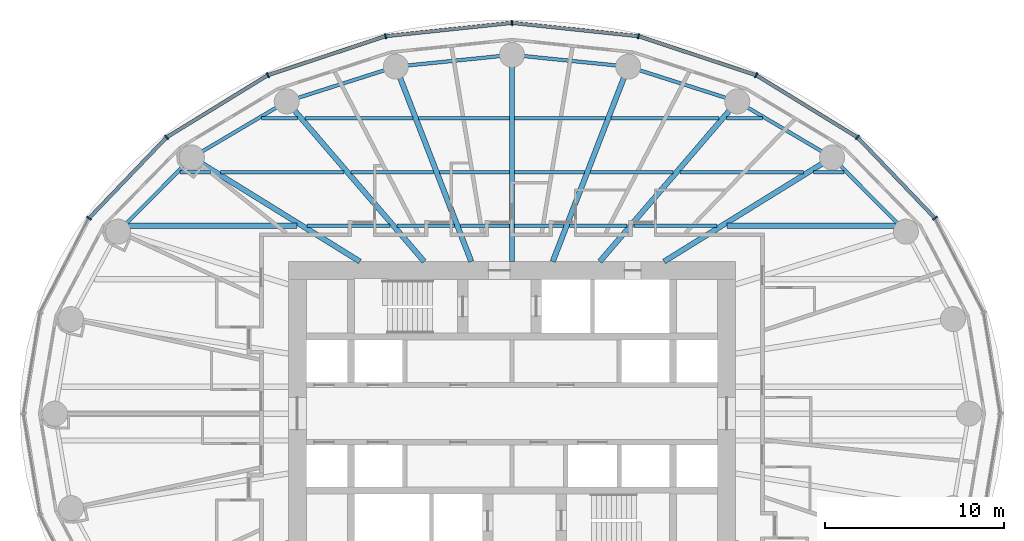
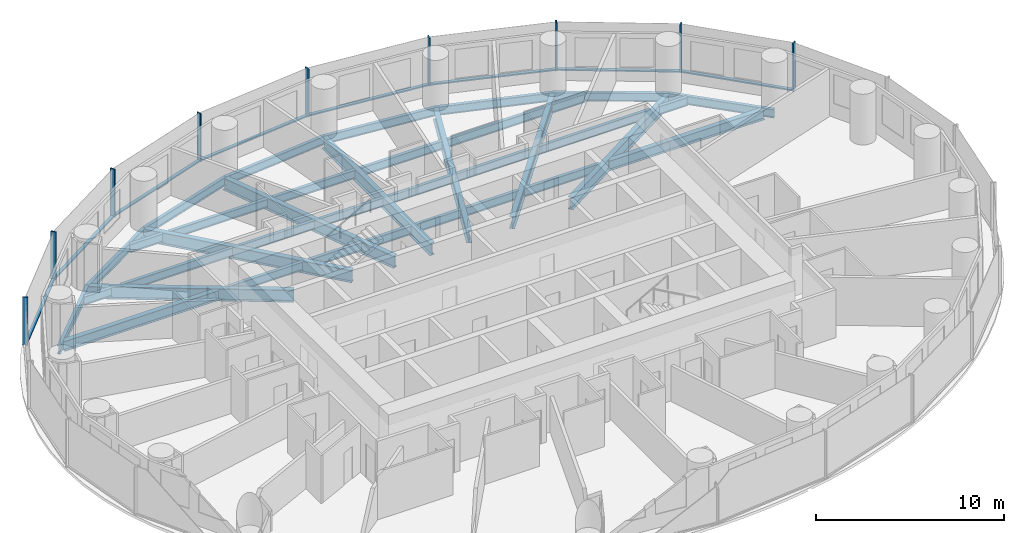
# One storey, part 4 of 14: 37 beams, 17 members, 2 elements without a shape of their own.
"""IFC4 building model written with IfcOpenShell, lengths in metres."""

from ifc_helpers import new_model, si_unit, direction, frame, origin, origin_2d, place, context, subcontext, project, spatial, rectangle, i_section, extrude, material, material_profile, profile_set, type_object, element, aggregate, save


model = new_model("IFC4")

# Units and contexts
model_context = context("Model", 3, precision=1e-05, world=origin(), true_north=direction((0.0, 1.0)))
body_context = subcontext(model_context, "Body", "Model", "MODEL_VIEW")
ifc_project = project(units=[si_unit("LENGTHUNIT", "METRE"), si_unit("AREAUNIT", "SQUARE_METRE"), si_unit("VOLUMEUNIT", "CUBIC_METRE"), si_unit("PLANEANGLEUNIT", "RADIAN"), si_unit("MASSUNIT", "GRAM", prefix="KILO")], contexts=[model_context])

# Site, building, storey
site_placement = place(None, origin())
site = spatial("IfcSite", under=ifc_project, at=site_placement, CompositionType="ELEMENT")
building_placement = place(site_placement, origin())
building = spatial("IfcBuilding", under=site, at=building_placement, Name="Hankou Lantern Tower", CompositionType="ELEMENT")
storey_placement = place(building_placement, frame((0.0, 0.0, 57.300048828125)))
storey = spatial("IfcBuildingStorey", under=building, at=storey_placement, Name="L13", CompositionType="ELEMENT", Elevation=57.300048828125)

# Beams
ifc_material_1 = material(Name="Steel Q355B", Category="steel")
ifc_material_profile_1 = material_profile(ifc_material_1, i_section(OverallWidth=0.199951171875, OverallDepth=0.550048828125, WebThickness=0.010009765625, FlangeThickness=0.01611328125, FilletRadius=0.012939453125, at=origin_2d()), Name="HN550x200x10x16")
ifc_profile_set_1 = profile_set([ifc_material_profile_1], Name="Steel Q355B")
beam_type_1 = type_object("IfcBeamType", Name="EB6 RING BEAM HN550x200x10x16", PredefinedType="SPANDREL", material=ifc_profile_set_1)
beam_1_placement = place(storey_placement, frame((22.01904296875, 10.170166015625, -0.455078125), z_axis=(-0.705727798394, 0.708483079949, 0.0), x_axis=(-0.708483079949, -0.705727798394, 0.0)))
element("IfcBeam", 1, at=beam_1_placement, inside=storey, type_object=beam_type_1, Name="Ring beam R03-R04 L13", PredefinedType="SPANDREL", context=body_context, shape_type="SweptSolid", body=[
    extrude(i_section(OverallWidth=0.199951171875, OverallDepth=0.550048828125, WebThickness=0.010009765625, FlangeThickness=0.01611328125, FilletRadius=0.012939453125, at=origin_2d()), origin(), (0.0, 0.0, 1.0), 5.84814453125),
])
beam_2_placement = place(storey_placement, frame((17.891845703125, 14.3134765625, -0.455078125), z_axis=(-0.860881533543, 0.508805449268, 0.0), x_axis=(-0.508805449268, -0.860881533543, 0.0)))
element("IfcBeam", 2, at=beam_2_placement, inside=storey, type_object=beam_type_1, Name="Ring beam R04-R05 L13", PredefinedType="SPANDREL", context=body_context, shape_type="SweptSolid", body=[
    extrude(i_section(OverallWidth=0.199951171875, OverallDepth=0.550048828125, WebThickness=0.010009765625, FlangeThickness=0.01611328125, FilletRadius=0.012939453125, at=origin_2d()), origin(), (0.0, 0.0, 1.0), 6.15771484375),
])
beam_3_placement = place(storey_placement, frame((12.5908203125, 17.446533203125, -0.455078125), z_axis=(-0.952690479428, 0.303942182671, 0.0), x_axis=(-0.303942182671, -0.952690479428, 0.0)))
element("IfcBeam", 3, at=beam_3_placement, inside=storey, type_object=beam_type_1, Name="Ring beam R05-R06 L13", PredefinedType="SPANDREL", context=body_context, shape_type="SweptSolid", body=[
    extrude(i_section(OverallWidth=0.199951171875, OverallDepth=0.550048828125, WebThickness=0.010009765625, FlangeThickness=0.01611328125, FilletRadius=0.012939453125, at=origin_2d()), origin(), (0.0, 0.0, 1.0), 6.398681640625),
])
for number, where, z_axis, x_axis, name in (
    (4, (6.494873046875, 19.391357421875, -0.455078125), (-0.994896616842, 0.100899562915, 0.0), (-0.100899562915, -0.994896616842, 0.0), "Ring beam R06-R07 L13"),
    (5, (0.0, 20.050048828125, -0.455078125), (-0.994896616842, -0.100899562915, 0.0), (0.100899562915, -0.994896616842, 0.0), "Ring beam R07-R08 L13"),
):
    element("IfcBeam", number, at=place(storey_placement, frame(where, z_axis=z_axis, x_axis=x_axis)), inside=storey, type_object=beam_type_1, Name=name, PredefinedType="SPANDREL", context=body_context, shape_type="SweptSolid", body=[
        extrude(i_section(OverallWidth=0.199951171875, OverallDepth=0.550048828125, WebThickness=0.010009765625, FlangeThickness=0.01611328125, FilletRadius=0.012939453125, at=origin_2d()), origin(), (0.0, 0.0, 1.0), 6.528076171875),
    ])
beam_4_placement = place(storey_placement, frame((-6.494873046875, 19.391357421875, -0.455078125), z_axis=(-0.952690479428, -0.303942182671, 0.0), x_axis=(0.303942182671, -0.952690479428, 0.0)))
element("IfcBeam", 6, at=beam_4_placement, inside=storey, type_object=beam_type_1, Name="Ring beam R08-R09 L13", PredefinedType="SPANDREL", context=body_context, shape_type="SweptSolid", body=[
    extrude(i_section(OverallWidth=0.199951171875, OverallDepth=0.550048828125, WebThickness=0.010009765625, FlangeThickness=0.01611328125, FilletRadius=0.012939453125, at=origin_2d()), origin(), (0.0, 0.0, 1.0), 6.398681640625),
])
beam_5_placement = place(storey_placement, frame((-12.5908203125, 17.446533203125, -0.455078125), z_axis=(-0.860881533543, -0.508805449268, 0.0), x_axis=(0.508805449268, -0.860881533543, 0.0)))
element("IfcBeam", 7, at=beam_5_placement, inside=storey, type_object=beam_type_1, Name="Ring beam R09-R10 L13", PredefinedType="SPANDREL", context=body_context, shape_type="SweptSolid", body=[
    extrude(i_section(OverallWidth=0.199951171875, OverallDepth=0.550048828125, WebThickness=0.010009765625, FlangeThickness=0.01611328125, FilletRadius=0.012939453125, at=origin_2d()), origin(), (0.0, 0.0, 1.0), 6.15771484375),
])
beam_6_placement = place(storey_placement, frame((-17.891845703125, 14.3134765625, -0.455078125), z_axis=(-0.705727798394, -0.708483079949, 0.0), x_axis=(0.708483079949, -0.705727798394, 0.0)))
element("IfcBeam", 8, at=beam_6_placement, inside=storey, type_object=beam_type_1, Name="Ring beam R10-R11 L13", PredefinedType="SPANDREL", context=body_context, shape_type="SweptSolid", body=[
    extrude(i_section(OverallWidth=0.199951171875, OverallDepth=0.550048828125, WebThickness=0.010009765625, FlangeThickness=0.01611328125, FilletRadius=0.012939453125, at=origin_2d()), origin(), (0.0, 0.0, 1.0), 5.84814453125),
])

# Curtain wall, members
ifc_material_2 = material(Name="Glass, dark grey tinted laminated", Category="glass")
curtain_wall_type = type_object("IfcCurtainWallType", Name="CWA OUTER SKIN LOW-RISE", PredefinedType="USERDEFINED", material=ifc_material_2)
curtain_wall_1_placement = place(storey_placement, origin())
curtain_wall_1 = element("IfcCurtainWall", 9, at=curtain_wall_1_placement, inside=storey, type_object=curtain_wall_type, Name="CWA L13 OS1", ObjectType="OUTER SKIN LOW-RISE", PredefinedType="USERDEFINED")
ifc_material_3 = material(Name="Aluminium, black anodised", Category="aluminium")
ifc_material_profile_2 = material_profile(ifc_material_3, rectangle(XDim=0.080078125, YDim=0.300048828125, at=origin_2d()), Name="MU1 80X300")
ifc_profile_set_2 = profile_set([ifc_material_profile_2], Name="Aluminium, black anodised")
member_type_1 = type_object("IfcMemberType", Name="MU1 OUTER SKIN MULLION 80X300", PredefinedType="MULLION", material=ifc_profile_set_2)
member_1_placement = place(storey_placement, frame((23.642578125, 10.919921875, 0.0), z_axis=(0.0, 0.0, 1.0), x_axis=(-0.585205735974, 0.810884854084, 0.0)))
member_1 = element("IfcMember", 10, at=member_1_placement, type_object=member_type_1, Name="CWA mullion 3", PredefinedType="MULLION", context=body_context, shape_type="SweptSolid", body=[
    extrude(rectangle(XDim=0.080078125, YDim=0.300048828125, at=origin_2d()), origin(), (0.0, 0.0, 1.0), 3.119873046875),
])
member_2_placement = place(storey_placement, frame((19.303955078125, 15.443115234375, 0.0), z_axis=(0.0, 0.0, 1.0), x_axis=(-0.780868809444, 0.624695047553, 0.0)))
member_2 = element("IfcMember", 11, at=member_2_placement, type_object=member_type_1, Name="CWA mullion 4", PredefinedType="MULLION", context=body_context, shape_type="SweptSolid", body=[
    extrude(rectangle(XDim=0.080078125, YDim=0.300048828125, at=origin_2d()), origin(), (0.0, 0.0, 1.0), 3.119873046875),
])
member_3_placement = place(storey_placement, frame((13.64990234375, 18.9140625, 0.0), z_axis=(0.0, 0.0, 1.0), x_axis=(-0.907841299004, 0.419313934686, 0.0)))
member_3 = element("IfcMember", 12, at=member_3_placement, type_object=member_type_1, Name="CWA mullion 5", PredefinedType="MULLION", context=body_context, shape_type="SweptSolid", body=[
    extrude(rectangle(XDim=0.080078125, YDim=0.300048828125, at=origin_2d()), origin(), (0.0, 0.0, 1.0), 3.119873046875),
])
member_4_placement = place(storey_placement, frame((7.065673828125, 21.095703125, 0.0), z_axis=(0.0, 0.0, 1.0), x_axis=(-0.977787659625, 0.209597931016, 0.0)))
member_4 = element("IfcMember", 13, at=member_4_placement, type_object=member_type_1, Name="CWA mullion 6", PredefinedType="MULLION", context=body_context, shape_type="SweptSolid", body=[
    extrude(rectangle(XDim=0.080078125, YDim=0.300048828125, at=origin_2d()), origin(), (0.0, 0.0, 1.0), 3.119873046875),
])

curtain_wall_2_placement = place(storey_placement, origin())
curtain_wall_2 = element("IfcCurtainWall", 14, at=curtain_wall_2_placement, inside=storey, type_object=curtain_wall_type, Name="CWA L13 OS2", ObjectType="OUTER SKIN LOW-RISE", PredefinedType="USERDEFINED")
member_5_placement = place(storey_placement, frame((0.0, 21.840087890625, 0.0), z_axis=(0.0, 0.0, 1.0), x_axis=(-0.994499359107, -0.104742659579, 0.0)))
member_5 = element("IfcMember", 15, at=member_5_placement, type_object=member_type_1, Name="CWA mullion 1", PredefinedType="MULLION", context=body_context, shape_type="SweptSolid", body=[
    extrude(rectangle(XDim=0.080078125, YDim=0.300048828125, at=origin_2d()), origin(), (0.0, 0.0, 1.0), 3.119873046875),
])
member_6_placement = place(storey_placement, frame((-7.065673828125, 21.095703125, 0.0), z_axis=(0.0, 0.0, 1.0), x_axis=(-0.977787659625, -0.209597931016, 0.0)))
member_6 = element("IfcMember", 16, at=member_6_placement, type_object=member_type_1, Name="CWA mullion 2", PredefinedType="MULLION", context=body_context, shape_type="SweptSolid", body=[
    extrude(rectangle(XDim=0.080078125, YDim=0.300048828125, at=origin_2d()), origin(), (0.0, 0.0, 1.0), 3.119873046875),
])
member_7_placement = place(storey_placement, frame((-13.64990234375, 18.9140625, 0.0), z_axis=(0.0, 0.0, 1.0), x_axis=(-0.907841299004, -0.419313934686, 0.0)))
member_7 = element("IfcMember", 17, at=member_7_placement, type_object=member_type_1, Name="CWA mullion 3", PredefinedType="MULLION", context=body_context, shape_type="SweptSolid", body=[
    extrude(rectangle(XDim=0.080078125, YDim=0.300048828125, at=origin_2d()), origin(), (0.0, 0.0, 1.0), 3.119873046875),
])
member_8_placement = place(storey_placement, frame((-19.303955078125, 15.443115234375, 0.0), z_axis=(0.0, 0.0, 1.0), x_axis=(-0.780868809444, -0.624695047553, 0.0)))
member_8 = element("IfcMember", 18, at=member_8_placement, type_object=member_type_1, Name="CWA mullion 4", PredefinedType="MULLION", context=body_context, shape_type="SweptSolid", body=[
    extrude(rectangle(XDim=0.080078125, YDim=0.300048828125, at=origin_2d()), origin(), (0.0, 0.0, 1.0), 3.119873046875),
])
member_9_placement = place(storey_placement, frame((-23.642578125, 10.919921875, 0.0), z_axis=(0.0, 0.0, 1.0), x_axis=(-0.585205735974, -0.810884854084, 0.0)))
member_9 = element("IfcMember", 19, at=member_9_placement, type_object=member_type_1, Name="CWA mullion 5", PredefinedType="MULLION", context=body_context, shape_type="SweptSolid", body=[
    extrude(rectangle(XDim=0.080078125, YDim=0.300048828125, at=origin_2d()), origin(), (0.0, 0.0, 1.0), 3.119873046875),
])

# Beams
ifc_material_4 = material(Name="Steel Q355B", Category="steel")
ifc_material_profile_3 = material_profile(ifc_material_4, i_section(OverallWidth=0.300048828125, OverallDepth=0.800048828125, WebThickness=0.013916015625, FlangeThickness=0.02587890625, FilletRadius=0.01806640625, at=origin_2d()), Name="HN800x300x14x26")
ifc_profile_set_3 = profile_set([ifc_material_profile_3], Name="Steel Q355B")
beam_type_2 = type_object("IfcBeamType", Name="RB11 RADIAL BEAM HN800x300x14x26", PredefinedType="BEAM", material=ifc_profile_set_3)
beam_7_placement = place(storey_placement, frame((8.5, 8.5, -0.580078125), z_axis=(0.850286343288, 0.526320372414, 0.0), x_axis=(-0.526320372414, 0.850286343288, 0.0)))
element("IfcBeam", 20, at=beam_7_placement, inside=storey, type_object=beam_type_2, Name="Radial beam R04 L13", PredefinedType="BEAM", context=body_context, shape_type="SweptSolid", body=[
    extrude(i_section(OverallWidth=0.300048828125, OverallDepth=0.800048828125, WebThickness=0.013916015625, FlangeThickness=0.02587890625, FilletRadius=0.01806640625, at=origin_2d()), origin(), (0.0, 0.0, 1.0), 11.04541015625),
])
beam_8_placement = place(storey_placement, frame((4.907470703125, 8.5, -0.580078125), z_axis=(0.651519061225, 0.758632264579, 0.0), x_axis=(-0.758632264579, 0.651519061225, 0.0)))
element("IfcBeam", 21, at=beam_8_placement, inside=storey, type_object=beam_type_2, Name="Radial beam R05 L13", PredefinedType="BEAM", context=body_context, shape_type="SweptSolid", body=[
    extrude(i_section(OverallWidth=0.300048828125, OverallDepth=0.800048828125, WebThickness=0.013916015625, FlangeThickness=0.02587890625, FilletRadius=0.01806640625, at=origin_2d()), origin(), (0.0, 0.0, 1.0), 11.79296875),
])
beam_9_placement = place(storey_placement, frame((2.277587890625, 8.5, -0.580078125), z_axis=(0.361089103374, 0.932531318201, 0.0), x_axis=(-0.932531318201, 0.361089103374, 0.0)))
element("IfcBeam", 22, at=beam_9_placement, inside=storey, type_object=beam_type_2, Name="Radial beam R06 L13", PredefinedType="BEAM", context=body_context, shape_type="SweptSolid", body=[
    extrude(i_section(OverallWidth=0.300048828125, OverallDepth=0.800048828125, WebThickness=0.013916015625, FlangeThickness=0.02587890625, FilletRadius=0.01806640625, at=origin_2d()), origin(), (0.0, 0.0, 1.0), 11.679443359375),
])
beam_10_placement = place(storey_placement, frame((0.0, 8.5, -0.580078125), z_axis=(0.0, 1.0, 0.0), x_axis=(-1.0, 0.0, 0.0)))
element("IfcBeam", 23, at=beam_10_placement, inside=storey, type_object=beam_type_2, Name="Radial beam R07 L13", PredefinedType="BEAM", context=body_context, shape_type="SweptSolid", body=[
    extrude(i_section(OverallWidth=0.300048828125, OverallDepth=0.800048828125, WebThickness=0.013916015625, FlangeThickness=0.02587890625, FilletRadius=0.01806640625, at=origin_2d()), origin(), (0.0, 0.0, 1.0), 11.550048828125),
])
beam_11_placement = place(storey_placement, frame((-2.277587890625, 8.5, -0.580078125), z_axis=(-0.361089103374, 0.932531318201, 0.0), x_axis=(-0.932531318201, -0.361089103374, 0.0)))
element("IfcBeam", 24, at=beam_11_placement, inside=storey, type_object=beam_type_2, Name="Radial beam R08 L13", PredefinedType="BEAM", context=body_context, shape_type="SweptSolid", body=[
    extrude(i_section(OverallWidth=0.300048828125, OverallDepth=0.800048828125, WebThickness=0.013916015625, FlangeThickness=0.02587890625, FilletRadius=0.01806640625, at=origin_2d()), origin(), (0.0, 0.0, 1.0), 11.679443359375),
])
beam_12_placement = place(storey_placement, frame((-4.907470703125, 8.5, -0.580078125), z_axis=(-0.651519061225, 0.758632264579, 0.0), x_axis=(-0.758632264579, -0.651519061225, 0.0)))
element("IfcBeam", 25, at=beam_12_placement, inside=storey, type_object=beam_type_2, Name="Radial beam R09 L13", PredefinedType="BEAM", context=body_context, shape_type="SweptSolid", body=[
    extrude(i_section(OverallWidth=0.300048828125, OverallDepth=0.800048828125, WebThickness=0.013916015625, FlangeThickness=0.02587890625, FilletRadius=0.01806640625, at=origin_2d()), origin(), (0.0, 0.0, 1.0), 11.79296875),
])
beam_13_placement = place(storey_placement, frame((-8.5, 8.5, -0.580078125), z_axis=(-0.850286343288, 0.526320372414, 0.0), x_axis=(-0.526320372414, -0.850286343288, 0.0)))
element("IfcBeam", 26, at=beam_13_placement, inside=storey, type_object=beam_type_2, Name="Radial beam R10 L13", PredefinedType="BEAM", context=body_context, shape_type="SweptSolid", body=[
    extrude(i_section(OverallWidth=0.300048828125, OverallDepth=0.800048828125, WebThickness=0.013916015625, FlangeThickness=0.02587890625, FilletRadius=0.01806640625, at=origin_2d()), origin(), (0.0, 0.0, 1.0), 11.04541015625),
])
ifc_material_5 = material(Name="Steel Q355B", Category="steel")
ifc_material_profile_4 = material_profile(ifc_material_5, i_section(OverallWidth=0.199951171875, OverallDepth=0.550048828125, WebThickness=0.010009765625, FlangeThickness=0.01611328125, FilletRadius=0.012939453125, at=origin_2d()), Name="HN550x200x10x16")
ifc_profile_set_4 = profile_set([ifc_material_profile_4], Name="Steel Q355B")
beam_type_3 = type_object("IfcBeamType", Name="SB6 SECONDARY BEAM HN550x200x10x16", PredefinedType="JOIST", material=ifc_profile_set_4)
beam_14_placement = place(storey_placement, frame((-11.446044921875, 10.5, -0.455078125), z_axis=(1.0, 0.0, 0.0), x_axis=(0.0, 1.0, 0.0)))
element("IfcBeam", 27, at=beam_14_placement, inside=storey, type_object=beam_type_3, Name="Floor joist J040 L13", PredefinedType="JOIST", context=body_context, shape_type="SweptSolid", body=[
    extrude(i_section(OverallWidth=0.199951171875, OverallDepth=0.550048828125, WebThickness=0.010009765625, FlangeThickness=0.01611328125, FilletRadius=0.012939453125, at=origin_2d()), origin(), (0.0, 0.0, 1.0), 4.623291015625),
])
beam_15_placement = place(storey_placement, frame((-6.427490234375, 10.5, -0.455078125), z_axis=(1.0, 0.0, 0.0), x_axis=(0.0, 1.0, 0.0)))
element("IfcBeam", 28, at=beam_15_placement, inside=storey, type_object=beam_type_3, Name="Floor joist J041 L13", PredefinedType="JOIST", context=body_context, shape_type="SweptSolid", body=[
    extrude(i_section(OverallWidth=0.199951171875, OverallDepth=0.550048828125, WebThickness=0.010009765625, FlangeThickness=0.01611328125, FilletRadius=0.012939453125, at=origin_2d()), origin(), (0.0, 0.0, 1.0), 3.214599609375),
])
for number, where, z_axis, x_axis, name in (
    (29, (-2.89111328125, 10.5, -0.455078125), (1.0, 0.0, 0.0), (0.0, 1.0, 0.0), "Floor joist J042 L13"),
    (30, (0.14990234375, 10.5, -0.455078125), (1.0, 0.0, 0.0), (0.0, 1.0, 0.0), "Floor joist J043 L13"),
):
    element("IfcBeam", number, at=place(storey_placement, frame(where, z_axis=z_axis, x_axis=x_axis)), inside=storey, type_object=beam_type_3, Name=name, PredefinedType="JOIST", context=body_context, shape_type="SweptSolid", body=[
        extrude(i_section(OverallWidth=0.199951171875, OverallDepth=0.550048828125, WebThickness=0.010009765625, FlangeThickness=0.01611328125, FilletRadius=0.012939453125, at=origin_2d()), origin(), (0.0, 0.0, 1.0), 2.7412109375),
    ])
beam_16_placement = place(storey_placement, frame((3.212890625, 10.5, -0.455078125), z_axis=(1.0, 0.0, 0.0), x_axis=(0.0, 1.0, 0.0)))
element("IfcBeam", 31, at=beam_16_placement, inside=storey, type_object=beam_type_3, Name="Floor joist J044 L13", PredefinedType="JOIST", context=body_context, shape_type="SweptSolid", body=[
    extrude(i_section(OverallWidth=0.199951171875, OverallDepth=0.550048828125, WebThickness=0.010009765625, FlangeThickness=0.01611328125, FilletRadius=0.012939453125, at=origin_2d()), origin(), (0.0, 0.0, 1.0), 3.214599609375),
])
beam_17_placement = place(storey_placement, frame((6.82275390625, 10.5, -0.455078125), z_axis=(1.0, 0.0, 0.0), x_axis=(0.0, 1.0, 0.0)))
element("IfcBeam", 32, at=beam_17_placement, inside=storey, type_object=beam_type_3, Name="Floor joist J045 L13", PredefinedType="JOIST", context=body_context, shape_type="SweptSolid", body=[
    extrude(i_section(OverallWidth=0.199951171875, OverallDepth=0.550048828125, WebThickness=0.010009765625, FlangeThickness=0.01611328125, FilletRadius=0.012939453125, at=origin_2d()), origin(), (0.0, 0.0, 1.0), 4.623291015625),
])
beam_18_placement = place(storey_placement, frame((-18.560791015625, 13.5, -0.455078125), z_axis=(1.0, 0.0, 0.0), x_axis=(0.0, 1.0, 0.0)))
element("IfcBeam", 33, at=beam_18_placement, inside=storey, type_object=beam_type_3, Name="Floor joist J047 L13", PredefinedType="JOIST", context=body_context, shape_type="SweptSolid", body=[
    extrude(i_section(OverallWidth=0.199951171875, OverallDepth=0.550048828125, WebThickness=0.010009765625, FlangeThickness=0.01611328125, FilletRadius=0.012939453125, at=origin_2d()), origin(), (0.0, 0.0, 1.0), 1.697998046875),
])
beam_19_placement = place(storey_placement, frame((-16.292724609375, 13.5, -0.455078125), z_axis=(1.0, 0.0, 0.0), x_axis=(0.0, 1.0, 0.0)))
element("IfcBeam", 34, at=beam_19_placement, inside=storey, type_object=beam_type_3, Name="Floor joist J048 L13", PredefinedType="JOIST", context=body_context, shape_type="SweptSolid", body=[
    extrude(i_section(OverallWidth=0.199951171875, OverallDepth=0.550048828125, WebThickness=0.010009765625, FlangeThickness=0.01611328125, FilletRadius=0.012939453125, at=origin_2d()), origin(), (0.0, 0.0, 1.0), 6.893310546875),
])
beam_20_placement = place(storey_placement, frame((-9.00390625, 13.5, -0.455078125), z_axis=(1.0, 0.0, 0.0), x_axis=(0.0, 1.0, 0.0)))
element("IfcBeam", 35, at=beam_20_placement, inside=storey, type_object=beam_type_3, Name="Floor joist J049 L13", PredefinedType="JOIST", context=body_context, shape_type="SweptSolid", body=[
    extrude(i_section(OverallWidth=0.199951171875, OverallDepth=0.550048828125, WebThickness=0.010009765625, FlangeThickness=0.01611328125, FilletRadius=0.012939453125, at=origin_2d()), origin(), (0.0, 0.0, 1.0), 4.62939453125),
])
for number, where, z_axis, x_axis, name in (
    (36, (-4.052734375, 13.5, -0.455078125), (1.0, 0.0, 0.0), (0.0, 1.0, 0.0), "Floor joist J050 L13"),
    (37, (0.14990234375, 13.5, -0.455078125), (1.0, 0.0, 0.0), (0.0, 1.0, 0.0), "Floor joist J051 L13"),
):
    element("IfcBeam", number, at=place(storey_placement, frame(where, z_axis=z_axis, x_axis=x_axis)), inside=storey, type_object=beam_type_3, Name=name, PredefinedType="JOIST", context=body_context, shape_type="SweptSolid", body=[
        extrude(i_section(OverallWidth=0.199951171875, OverallDepth=0.550048828125, WebThickness=0.010009765625, FlangeThickness=0.01611328125, FilletRadius=0.012939453125, at=origin_2d()), origin(), (0.0, 0.0, 1.0), 3.90283203125),
    ])
beam_21_placement = place(storey_placement, frame((4.37451171875, 13.5, -0.455078125), z_axis=(1.0, 0.0, 0.0), x_axis=(0.0, 1.0, 0.0)))
element("IfcBeam", 38, at=beam_21_placement, inside=storey, type_object=beam_type_3, Name="Floor joist J052 L13", PredefinedType="JOIST", context=body_context, shape_type="SweptSolid", body=[
    extrude(i_section(OverallWidth=0.199951171875, OverallDepth=0.550048828125, WebThickness=0.010009765625, FlangeThickness=0.01611328125, FilletRadius=0.012939453125, at=origin_2d()), origin(), (0.0, 0.0, 1.0), 4.62939453125),
])
beam_22_placement = place(storey_placement, frame((9.3994140625, 13.5, -0.455078125), z_axis=(1.0, 0.0, 0.0), x_axis=(0.0, 1.0, 0.0)))
element("IfcBeam", 39, at=beam_22_placement, inside=storey, type_object=beam_type_3, Name="Floor joist J053 L13", PredefinedType="JOIST", context=body_context, shape_type="SweptSolid", body=[
    extrude(i_section(OverallWidth=0.199951171875, OverallDepth=0.550048828125, WebThickness=0.010009765625, FlangeThickness=0.01611328125, FilletRadius=0.012939453125, at=origin_2d()), origin(), (0.0, 0.0, 1.0), 6.893310546875),
])
beam_23_placement = place(storey_placement, frame((16.86279296875, 13.5, -0.455078125), z_axis=(1.0, 0.0, 0.0), x_axis=(0.0, 1.0, 0.0)))
element("IfcBeam", 40, at=beam_23_placement, inside=storey, type_object=beam_type_3, Name="Floor joist J054 L13", PredefinedType="JOIST", context=body_context, shape_type="SweptSolid", body=[
    extrude(i_section(OverallWidth=0.199951171875, OverallDepth=0.550048828125, WebThickness=0.010009765625, FlangeThickness=0.01611328125, FilletRadius=0.012939453125, at=origin_2d()), origin(), (0.0, 0.0, 1.0), 1.697998046875),
])
beam_24_placement = place(storey_placement, frame((-13.99560546875, 16.5, -0.455078125), z_axis=(1.0, 0.0, 0.0), x_axis=(0.0, 1.0, 0.0)))
element("IfcBeam", 41, at=beam_24_placement, inside=storey, type_object=beam_type_3, Name="Floor joist J055 L13", PredefinedType="JOIST", context=body_context, shape_type="SweptSolid", body=[
    extrude(i_section(OverallWidth=0.199951171875, OverallDepth=0.550048828125, WebThickness=0.010009765625, FlangeThickness=0.01611328125, FilletRadius=0.012939453125, at=origin_2d()), origin(), (0.0, 0.0, 1.0), 2.019775390625),
])
beam_25_placement = place(storey_placement, frame((-11.580322265625, 16.5, -0.455078125), z_axis=(1.0, 0.0, 0.0), x_axis=(0.0, 1.0, 0.0)))
element("IfcBeam", 42, at=beam_25_placement, inside=storey, type_object=beam_type_3, Name="Floor joist J056 L13", PredefinedType="JOIST", context=body_context, shape_type="SweptSolid", body=[
    extrude(i_section(OverallWidth=0.199951171875, OverallDepth=0.550048828125, WebThickness=0.010009765625, FlangeThickness=0.01611328125, FilletRadius=0.012939453125, at=origin_2d()), origin(), (0.0, 0.0, 1.0), 6.044189453125),
])
for number, where, z_axis, x_axis, name in (
    (43, (-5.21435546875, 16.5, -0.455078125), (1.0, 0.0, 0.0), (0.0, 1.0, 0.0), "Floor joist J057 L13"),
    (44, (0.14990234375, 16.5, -0.455078125), (1.0, 0.0, 0.0), (0.0, 1.0, 0.0), "Floor joist J058 L13"),
):
    element("IfcBeam", number, at=place(storey_placement, frame(where, z_axis=z_axis, x_axis=x_axis)), inside=storey, type_object=beam_type_3, Name=name, PredefinedType="JOIST", context=body_context, shape_type="SweptSolid", body=[
        extrude(i_section(OverallWidth=0.199951171875, OverallDepth=0.550048828125, WebThickness=0.010009765625, FlangeThickness=0.01611328125, FilletRadius=0.012939453125, at=origin_2d()), origin(), (0.0, 0.0, 1.0), 5.064453125),
    ])
beam_26_placement = place(storey_placement, frame((5.5361328125, 16.5, -0.455078125), z_axis=(1.0, 0.0, 0.0), x_axis=(0.0, 1.0, 0.0)))
element("IfcBeam", 45, at=beam_26_placement, inside=storey, type_object=beam_type_3, Name="Floor joist J059 L13", PredefinedType="JOIST", context=body_context, shape_type="SweptSolid", body=[
    extrude(i_section(OverallWidth=0.199951171875, OverallDepth=0.550048828125, WebThickness=0.010009765625, FlangeThickness=0.01611328125, FilletRadius=0.012939453125, at=origin_2d()), origin(), (0.0, 0.0, 1.0), 6.044189453125),
])
beam_27_placement = place(storey_placement, frame((11.975830078125, 16.5, -0.455078125), z_axis=(1.0, 0.0, 0.0), x_axis=(0.0, 1.0, 0.0)))
element("IfcBeam", 46, at=beam_27_placement, inside=storey, type_object=beam_type_3, Name="Floor joist J060 L13", PredefinedType="JOIST", context=body_context, shape_type="SweptSolid", body=[
    extrude(i_section(OverallWidth=0.199951171875, OverallDepth=0.550048828125, WebThickness=0.010009765625, FlangeThickness=0.01611328125, FilletRadius=0.012939453125, at=origin_2d()), origin(), (0.0, 0.0, 1.0), 2.019775390625),
])
ifc_material_6 = material(Name="Steel Q355B", Category="steel")
ifc_material_profile_5 = material_profile(ifc_material_6, i_section(OverallWidth=0.300048828125, OverallDepth=0.64990234375, WebThickness=0.010986328125, FlangeThickness=0.01708984375, FilletRadius=0.01806640625, at=origin_2d()), Name="HN650x300x11x17")
ifc_profile_set_5 = profile_set([ifc_material_profile_5], Name="Steel Q355B")
beam_type_4 = type_object("IfcBeamType", Name="SB8 SECONDARY BEAM HN650x300x11x17", PredefinedType="JOIST", material=ifc_profile_set_5)
for number, where, z_axis, x_axis, name in (
    (47, (-21.54931640625, 10.5, -0.505126953125), (1.0, 0.0, 0.0), (0.0, 1.0, 0.0), "Floor joist J039 L13"),
    (48, (12.01611328125, 10.5, -0.505126953125), (1.0, 0.0, 0.0), (0.0, 1.0, 0.0), "Floor joist J046 L13"),
):
    element("IfcBeam", number, at=place(storey_placement, frame(where, z_axis=z_axis, x_axis=x_axis)), inside=storey, type_object=beam_type_4, Name=name, PredefinedType="JOIST", context=body_context, shape_type="SweptSolid", body=[
        extrude(i_section(OverallWidth=0.300048828125, OverallDepth=0.64990234375, WebThickness=0.010986328125, FlangeThickness=0.01708984375, FilletRadius=0.01806640625, at=origin_2d()), origin(), (0.0, 0.0, 1.0), 9.533203125),
    ])

# Member
ifc_material_7 = material(Name="Aluminium, black anodised", Category="aluminium")
ifc_material_profile_6 = material_profile(ifc_material_7, rectangle(XDim=0.199951171875, YDim=0.080078125, at=origin_2d()), Name="TR1 200X80")
ifc_profile_set_6 = profile_set([ifc_material_profile_6], Name="Aluminium, black anodised")
member_type_2 = type_object("IfcMemberType", Name="TR1 OUTER SKIN TRANSOM 200X80", PredefinedType="USERDEFINED", material=ifc_profile_set_6)
member_10_placement = place(storey_placement, frame((23.61474609375, 10.948974609375, 0.0400390625), z_axis=(-0.692215537374, 0.721690827029, 0.0), x_axis=(-0.721690827029, -0.692215537374, 0.0)))
member_10 = element("IfcMember", 49, at=member_10_placement, type_object=member_type_2, Name="CWA transom 3", ObjectType="TRANSOM", PredefinedType="USERDEFINED", context=body_context, shape_type="SweptSolid", body=[
    extrude(rectangle(XDim=0.199951171875, YDim=0.080078125, at=origin_2d()), origin(), (0.0, 0.0, 1.0), 6.187255859375),
])

member_11_placement = place(storey_placement, frame((19.27001953125, 15.464111328125, 0.0400390625), z_axis=(-0.85223969557, 0.523151508929, 0.0), x_axis=(-0.523151508929, -0.85223969557, 0.0)))
member_11 = element("IfcMember", 50, at=member_11_placement, type_object=member_type_2, Name="CWA transom 4", ObjectType="TRANSOM", PredefinedType="USERDEFINED", context=body_context, shape_type="SweptSolid", body=[
    extrude(rectangle(XDim=0.199951171875, YDim=0.080078125, at=origin_2d()), origin(), (0.0, 0.0, 1.0), 6.554443359375),
])

member_12_placement = place(storey_placement, frame((13.612060546875, 18.926513671875, 0.0400390625), z_axis=(-0.949237318771, 0.314560825044, 0.0), x_axis=(-0.314560825044, -0.949237318771, 0.0)))
member_12 = element("IfcMember", 51, at=member_12_placement, type_object=member_type_2, Name="CWA transom 5", ObjectType="TRANSOM", PredefinedType="USERDEFINED", context=body_context, shape_type="SweptSolid", body=[
    extrude(rectangle(XDim=0.199951171875, YDim=0.080078125, at=origin_2d()), origin(), (0.0, 0.0, 1.0), 6.8564453125),
])

member_13_placement = place(storey_placement, frame((7.02587890625, 21.10009765625, 0.0400390625), z_axis=(-0.994502215033, 0.104715539888, 0.0), x_axis=(-0.104715539888, -0.994502215033, 0.0)))
member_13 = element("IfcMember", 52, at=member_13_placement, type_object=member_type_2, Name="CWA transom 6", ObjectType="TRANSOM", PredefinedType="USERDEFINED", context=body_context, shape_type="SweptSolid", body=[
    extrude(rectangle(XDim=0.199951171875, YDim=0.080078125, at=origin_2d()), origin(), (0.0, 0.0, 1.0), 7.024658203125),
])

aggregate(curtain_wall_1, [member_1, member_2, member_3, member_4, member_10, member_11, member_12, member_13])

member_14_placement = place(storey_placement, frame((-0.039794921875, 21.835693359375, 0.0400390625), z_axis=(-0.994502215033, -0.104715539888, 0.0), x_axis=(0.104715539888, -0.994502215033, 0.0)))
member_14 = element("IfcMember", 53, at=member_14_placement, type_object=member_type_2, Name="CWA transom 1", ObjectType="TRANSOM", PredefinedType="USERDEFINED", context=body_context, shape_type="SweptSolid", body=[
    extrude(rectangle(XDim=0.199951171875, YDim=0.080078125, at=origin_2d()), origin(), (0.0, 0.0, 1.0), 7.024658203125),
])

member_15_placement = place(storey_placement, frame((-7.103759765625, 21.083251953125, 0.0400390625), z_axis=(-0.949237318771, -0.314560825044, 0.0), x_axis=(0.314560825044, -0.949237318771, 0.0)))
member_15 = element("IfcMember", 54, at=member_15_placement, type_object=member_type_2, Name="CWA transom 2", ObjectType="TRANSOM", PredefinedType="USERDEFINED", context=body_context, shape_type="SweptSolid", body=[
    extrude(rectangle(XDim=0.199951171875, YDim=0.080078125, at=origin_2d()), origin(), (0.0, 0.0, 1.0), 6.8564453125),
])

member_16_placement = place(storey_placement, frame((-13.68408203125, 18.89306640625, 0.0400390625), z_axis=(-0.85223969557, -0.523151508929, 0.0), x_axis=(0.523151508929, -0.85223969557, 0.0)))
member_16 = element("IfcMember", 55, at=member_16_placement, type_object=member_type_2, Name="CWA transom 3", ObjectType="TRANSOM", PredefinedType="USERDEFINED", context=body_context, shape_type="SweptSolid", body=[
    extrude(rectangle(XDim=0.199951171875, YDim=0.080078125, at=origin_2d()), origin(), (0.0, 0.0, 1.0), 6.554443359375),
])

member_17_placement = place(storey_placement, frame((-19.331787109375, 15.414306640625, 0.0400390625), z_axis=(-0.692215537374, -0.721690827029, 0.0), x_axis=(0.721690827029, -0.692215537374, 0.0)))
member_17 = element("IfcMember", 56, at=member_17_placement, type_object=member_type_2, Name="CWA transom 4", ObjectType="TRANSOM", PredefinedType="USERDEFINED", context=body_context, shape_type="SweptSolid", body=[
    extrude(rectangle(XDim=0.199951171875, YDim=0.080078125, at=origin_2d()), origin(), (0.0, 0.0, 1.0), 6.187255859375),
])

aggregate(curtain_wall_2, [member_5, member_6, member_7, member_8, member_9, member_14, member_15, member_16, member_17])

save(model, "model.ifc")
